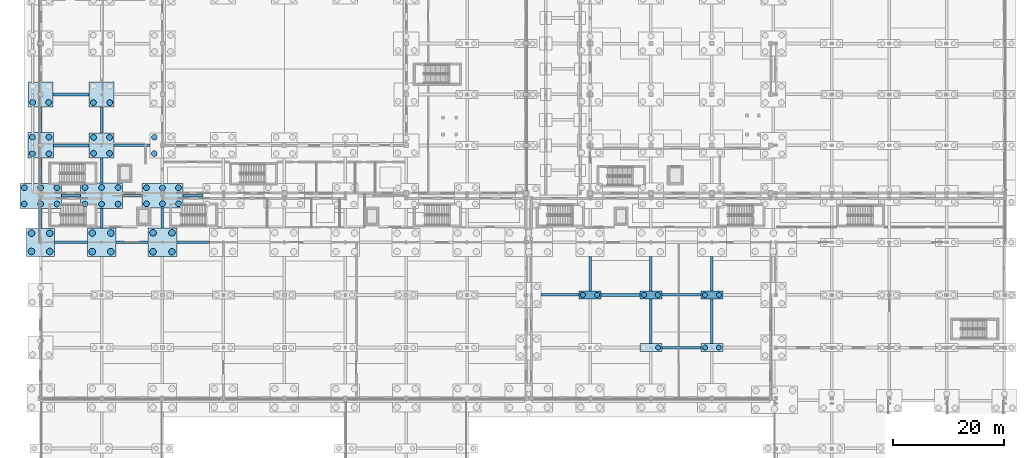
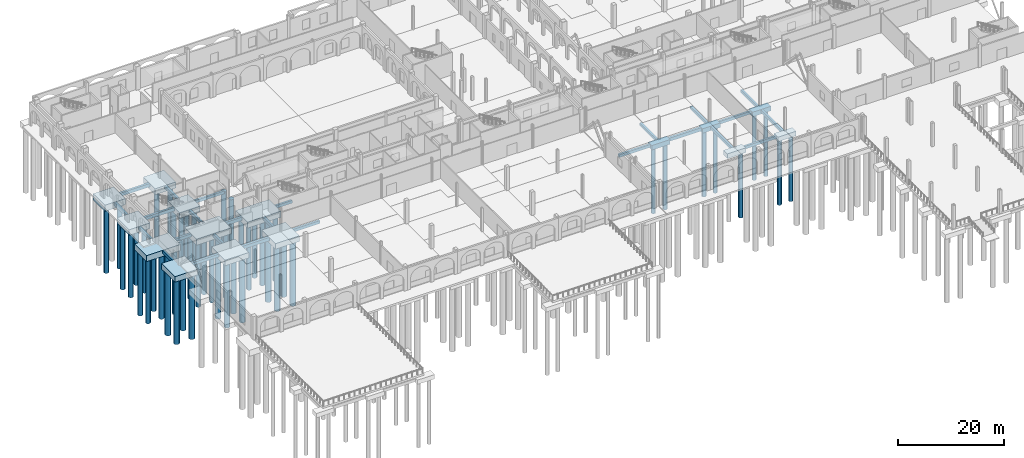
# One storey, part 4 of 83: 53 piles, 40 footings.
"""IFC4 building model written with IfcOpenShell, lengths in metres."""

from ifc_helpers import new_model, si_unit, direction, frame, origin, origin_2d, place, context, subcontext, project, spatial, polyline, circle, outline, extrude, material, material_profile, profile_set, type_object, element, save


model = new_model("IFC4")

# Units and contexts
model_context = context("Model", 3, precision=1e-05, world=origin(), true_north=direction((0.0, 1.0)))
body_context = subcontext(model_context, "Body", "Model", "MODEL_VIEW")
ifc_project = project(units=[si_unit("LENGTHUNIT", "METRE"), si_unit("AREAUNIT", "SQUARE_METRE"), si_unit("VOLUMEUNIT", "CUBIC_METRE"), si_unit("PLANEANGLEUNIT", "RADIAN"), si_unit("MASSUNIT", "GRAM", prefix="KILO")], contexts=[model_context])

# Site, building, storey
site_placement = place(None, origin())
site = spatial("IfcSite", under=ifc_project, at=site_placement, CompositionType="ELEMENT")
building_placement = place(site_placement, origin())
building = spatial("IfcBuilding", under=site, at=building_placement, Name="Caurita Quay Ferry Terminal", CompositionType="ELEMENT")
storey_placement = place(building_placement, origin())
storey = spatial("IfcBuildingStorey", under=building, at=storey_placement, Name="L00", CompositionType="ELEMENT", Elevation=0.0)

# Footings
ifc_material = material(Name="Marine reinforced concrete C40/50", Category="concrete")
footing_type_1 = type_object("IfcFootingType", Name="FTG-BM-01", PredefinedType="FOOTING_BEAM", material=ifc_material)
footing_1_placement = place(storey_placement, frame((0.0, 0.0, -1.14990234375)))
element("IfcFooting", 1, at=footing_1_placement, inside=storey, type_object=footing_type_1, Name="Seismic Tie Footing Beam FB-X-067", PredefinedType="FOOTING_BEAM", context=body_context, shape_type="SweptSolid", body=[
    extrude(outline(polyline([(101.199951171875, 52.949951171875), (108.25, 52.949951171875), (108.25, 53.449951171875), (101.199951171875, 53.449951171875), (101.199951171875, 52.949951171875)])), origin(), (0.0, 0.0, 1.0), 0.75),
])
footing_2_placement = place(storey_placement, frame((0.0, 0.0, -1.14990234375)))
element("IfcFooting", 2, at=footing_2_placement, inside=storey, type_object=footing_type_1, Name="Seismic Tie Footing Beam FB-X-075", PredefinedType="FOOTING_BEAM", context=body_context, shape_type="SweptSolid", body=[
    extrude(outline(polyline([(13.574951171875, 62.449951171875), (19.39990234375, 62.449951171875), (19.39990234375, 62.949951171875), (13.574951171875, 62.949951171875), (13.574951171875, 62.449951171875)])), origin(), (0.0, 0.0, 1.0), 0.75),
])
footing_3_placement = place(storey_placement, frame((0.0, 0.0, -1.14990234375)))
element("IfcFooting", 3, at=footing_3_placement, inside=storey, type_object=footing_type_1, Name="Seismic Tie Footing Beam FB-X-091", PredefinedType="FOOTING_BEAM", context=body_context, shape_type="SweptSolid", body=[
    extrude(outline(polyline([(14.77490234375, 70.85009765625), (18.324951171875, 70.85009765625), (18.324951171875, 71.35009765625), (14.77490234375, 71.35009765625), (14.77490234375, 70.85009765625)])), origin(), (0.0, 0.0, 1.0), 0.75),
])
footing_4_placement = place(storey_placement, frame((0.0, 0.0, -1.14990234375)))
element("IfcFooting", 4, at=footing_4_placement, inside=storey, type_object=footing_type_1, Name="Seismic Tie Footing Beam FB-X-107", PredefinedType="FOOTING_BEAM", context=body_context, shape_type="SweptSolid", body=[
    extrude(outline(polyline([(2.300048828125, 79.949951171875), (8.75, 79.949951171875), (8.75, 80.449951171875), (2.300048828125, 80.449951171875), (2.300048828125, 79.949951171875)])), origin(), (0.0, 0.0, 1.0), 0.75),
])
footing_5_placement = place(storey_placement, frame((0.0, 0.0, -1.14990234375)))
element("IfcFooting", 5, at=footing_5_placement, inside=storey, type_object=footing_type_1, Name="Seismic Tie Footing Beam FB-X-125", PredefinedType="FOOTING_BEAM", context=body_context, shape_type="SweptSolid", body=[
    extrude(outline(polyline([(2.22509765625, 89.14990234375), (8.75, 89.14990234375), (8.75, 89.64990234375), (2.22509765625, 89.64990234375), (2.22509765625, 89.14990234375)])), origin(), (0.0, 0.0, 1.0), 0.75),
])
footing_type_2 = type_object("IfcFootingType", Name="FTG-BM-02", PredefinedType="FOOTING_BEAM", material=ifc_material)
footing_6_placement = place(storey_placement, frame((0.0, 0.0, -1.050048828125)))
element("IfcFooting", 6, at=footing_6_placement, inside=storey, type_object=footing_type_2, Name="Seismic Tie Footing Beam FB-X-052", PredefinedType="FOOTING_BEAM", context=body_context, shape_type="SweptSolid", body=[
    extrude(outline(polyline([(112.22509765625, 43.47509765625), (119.22509765625, 43.47509765625), (119.22509765625, 43.925048828125), (112.22509765625, 43.925048828125), (112.22509765625, 43.47509765625)])), origin(), (0.0, 0.0, 1.0), 0.650146484375),
])
footing_7_placement = place(storey_placement, frame((0.0, 0.0, -1.050048828125)))
element("IfcFooting", 7, at=footing_7_placement, inside=storey, type_object=footing_type_2, Name="Seismic Tie Footing Beam FB-X-066", PredefinedType="FOOTING_BEAM", context=body_context, shape_type="SweptSolid", body=[
    extrude(outline(polyline([(90.35009765625, 52.97509765625), (97.199951171875, 52.97509765625), (97.199951171875, 53.425048828125), (90.35009765625, 53.425048828125), (90.35009765625, 52.97509765625)])), origin(), (0.0, 0.0, 1.0), 0.650146484375),
])
footing_8_placement = place(storey_placement, frame((0.0, 0.0, -1.050048828125)))
element("IfcFooting", 8, at=footing_8_placement, inside=storey, type_object=footing_type_2, Name="Seismic Tie Footing Beam FB-X-068", PredefinedType="FOOTING_BEAM", context=body_context, shape_type="SweptSolid", body=[
    extrude(outline(polyline([(112.14990234375, 52.97509765625), (119.22509765625, 52.97509765625), (119.22509765625, 53.425048828125), (112.14990234375, 53.425048828125), (112.14990234375, 52.97509765625)])), origin(), (0.0, 0.0, 1.0), 0.650146484375),
])
footing_9_placement = place(storey_placement, frame((0.0, 0.0, -1.050048828125)))
element("IfcFooting", 9, at=footing_9_placement, inside=storey, type_object=footing_type_2, Name="Seismic Tie Footing Beam FB-X-074", PredefinedType="FOOTING_BEAM", context=body_context, shape_type="SweptSolid", body=[
    extrude(outline(polyline([(2.52490234375, 62.47509765625), (8.425048828125, 62.47509765625), (8.425048828125, 62.925048828125), (2.52490234375, 62.925048828125), (2.52490234375, 62.47509765625)])), origin(), (0.0, 0.0, 1.0), 0.650146484375),
])
footing_10_placement = place(storey_placement, frame((0.0, 0.0, -1.050048828125)))
element("IfcFooting", 10, at=footing_10_placement, inside=storey, type_object=footing_type_2, Name="Seismic Tie Footing Beam FB-X-076", PredefinedType="FOOTING_BEAM", context=body_context, shape_type="SweptSolid", body=[
    extrude(outline(polyline([(24.60009765625, 62.47509765625), (30.47509765625, 62.47509765625), (30.47509765625, 62.925048828125), (24.60009765625, 62.925048828125), (24.60009765625, 62.47509765625)])), origin(), (0.0, 0.0, 1.0), 0.650146484375),
])
footing_11_placement = place(storey_placement, frame((0.0, 0.0, -1.050048828125)))
element("IfcFooting", 11, at=footing_11_placement, inside=storey, type_object=footing_type_2, Name="Seismic Tie Footing Beam FB-X-090", PredefinedType="FOOTING_BEAM", context=body_context, shape_type="SweptSolid", body=[
    extrude(outline(polyline([(3.72509765625, 70.875), (7.22509765625, 70.875), (7.22509765625, 71.324951171875), (3.72509765625, 71.324951171875), (3.72509765625, 70.875)])), origin(), (0.0, 0.0, 1.0), 0.650146484375),
])
footing_12_placement = place(storey_placement, frame((0.0, 0.0, -1.050048828125)))
element("IfcFooting", 12, at=footing_12_placement, inside=storey, type_object=footing_type_2, Name="Seismic Tie Footing Beam FB-X-092", PredefinedType="FOOTING_BEAM", context=body_context, shape_type="SweptSolid", body=[
    extrude(outline(polyline([(25.675048828125, 70.875), (29.27490234375, 70.875), (29.27490234375, 71.324951171875), (25.675048828125, 71.324951171875), (25.675048828125, 70.875)])), origin(), (0.0, 0.0, 1.0), 0.650146484375),
])
footing_13_placement = place(storey_placement, frame((0.0, 0.0, -1.050048828125)))
element("IfcFooting", 13, at=footing_13_placement, inside=storey, type_object=footing_type_2, Name="Seismic Tie Footing Beam FB-X-108", PredefinedType="FOOTING_BEAM", context=body_context, shape_type="SweptSolid", body=[
    extrude(outline(polyline([(13.25, 79.97509765625), (19.72509765625, 79.97509765625), (19.72509765625, 80.425048828125), (13.25, 80.425048828125), (13.25, 79.97509765625)])), origin(), (0.0, 0.0, 1.0), 0.650146484375),
])
footing_14_placement = place(storey_placement, frame((0.0, 0.0, -1.050048828125)))
element("IfcFooting", 14, at=footing_14_placement, inside=storey, type_object=footing_type_2, Name="Seismic Tie Footing Beam FB-Y-190", PredefinedType="FOOTING_BEAM", context=body_context, shape_type="SweptSolid", body=[
    extrude(outline(polyline([(-0.22509765625, 65.22509765625), (0.22509765625, 65.22509765625), (0.22509765625, 68.85009765625), (-0.22509765625, 68.85009765625), (-0.22509765625, 65.22509765625)])), origin(), (0.0, 0.0, 1.0), 0.650146484375),
])
footing_15_placement = place(storey_placement, frame((0.0, 0.0, -1.050048828125)))
element("IfcFooting", 15, at=footing_15_placement, inside=storey, type_object=footing_type_2, Name="Seismic Tie Footing Beam FB-Y-191", PredefinedType="FOOTING_BEAM", context=body_context, shape_type="SweptSolid", body=[
    extrude(outline(polyline([(-0.22509765625, 73.35009765625), (0.22509765625, 73.35009765625), (0.22509765625, 77.89990234375), (-0.22509765625, 77.89990234375), (-0.22509765625, 73.35009765625)])), origin(), (0.0, 0.0, 1.0), 0.650146484375),
])
footing_16_placement = place(storey_placement, frame((0.0, 0.0, -1.050048828125)))
element("IfcFooting", 16, at=footing_16_placement, inside=storey, type_object=footing_type_2, Name="Seismic Tie Footing Beam FB-Y-192", PredefinedType="FOOTING_BEAM", context=body_context, shape_type="SweptSolid", body=[
    extrude(outline(polyline([(-0.22509765625, 82.5), (0.22509765625, 82.5), (0.22509765625, 87.175048828125), (-0.22509765625, 87.175048828125), (-0.22509765625, 82.5)])), origin(), (0.0, 0.0, 1.0), 0.650146484375),
])
footing_17_placement = place(storey_placement, frame((0.0, 0.0, -1.050048828125)))
element("IfcFooting", 17, at=footing_17_placement, inside=storey, type_object=footing_type_2, Name="Seismic Tie Footing Beam FB-Y-202", PredefinedType="FOOTING_BEAM", context=body_context, shape_type="SweptSolid", body=[
    extrude(outline(polyline([(10.77490234375, 65.27490234375), (11.22509765625, 65.27490234375), (11.22509765625, 68.824951171875), (10.77490234375, 68.824951171875), (10.77490234375, 65.27490234375)])), origin(), (0.0, 0.0, 1.0), 0.650146484375),
])
footing_18_placement = place(storey_placement, frame((0.0, 0.0, -1.050048828125)))
element("IfcFooting", 18, at=footing_18_placement, inside=storey, type_object=footing_type_2, Name="Seismic Tie Footing Beam FB-Y-203", PredefinedType="FOOTING_BEAM", context=body_context, shape_type="SweptSolid", body=[
    extrude(outline(polyline([(10.77490234375, 73.375), (11.22509765625, 73.375), (11.22509765625, 77.949951171875), (10.77490234375, 77.949951171875), (10.77490234375, 73.375)])), origin(), (0.0, 0.0, 1.0), 0.650146484375),
])
footing_19_placement = place(storey_placement, frame((0.0, 0.0, -1.050048828125)))
element("IfcFooting", 19, at=footing_19_placement, inside=storey, type_object=footing_type_2, Name="Seismic Tie Footing Beam FB-Y-204", PredefinedType="FOOTING_BEAM", context=body_context, shape_type="SweptSolid", body=[
    extrude(outline(polyline([(10.77490234375, 82.449951171875), (11.22509765625, 82.449951171875), (11.22509765625, 87.14990234375), (10.77490234375, 87.14990234375), (10.77490234375, 82.449951171875)])), origin(), (0.0, 0.0, 1.0), 0.650146484375),
])
footing_20_placement = place(storey_placement, frame((0.0, 0.0, -1.050048828125)))
element("IfcFooting", 20, at=footing_20_placement, inside=storey, type_object=footing_type_2, Name="Seismic Tie Footing Beam FB-Y-214", PredefinedType="FOOTING_BEAM", context=body_context, shape_type="SweptSolid", body=[
    extrude(outline(polyline([(21.77490234375, 65.300048828125), (22.22509765625, 65.300048828125), (22.22509765625, 68.875), (21.77490234375, 68.875), (21.77490234375, 65.300048828125)])), origin(), (0.0, 0.0, 1.0), 0.650146484375),
])
footing_21_placement = place(storey_placement, frame((0.0, 0.0, -1.050048828125)))
element("IfcFooting", 21, at=footing_21_placement, inside=storey, type_object=footing_type_2, Name="Seismic Tie Footing Beam FB-Y-280", PredefinedType="FOOTING_BEAM", context=body_context, shape_type="SweptSolid", body=[
    extrude(outline(polyline([(98.97509765625, 53.89990234375), (99.425048828125, 53.89990234375), (99.425048828125, 60.175048828125), (98.97509765625, 60.175048828125), (98.97509765625, 53.89990234375)])), origin(), (0.0, 0.0, 1.0), 0.650146484375),
])
footing_22_placement = place(storey_placement, frame((0.0, 0.0, -1.050048828125)))
element("IfcFooting", 22, at=footing_22_placement, inside=storey, type_object=footing_type_2, Name="Seismic Tie Footing Beam FB-Y-288", PredefinedType="FOOTING_BEAM", context=body_context, shape_type="SweptSolid", body=[
    extrude(outline(polyline([(109.97509765625, 44.425048828125), (110.425048828125, 44.425048828125), (110.425048828125, 52.5), (109.97509765625, 52.5), (109.97509765625, 44.425048828125)])), origin(), (0.0, 0.0, 1.0), 0.650146484375),
])
footing_23_placement = place(storey_placement, frame((0.0, 0.0, -1.050048828125)))
element("IfcFooting", 23, at=footing_23_placement, inside=storey, type_object=footing_type_2, Name="Seismic Tie Footing Beam FB-Y-289", PredefinedType="FOOTING_BEAM", context=body_context, shape_type="SweptSolid", body=[
    extrude(outline(polyline([(109.97509765625, 53.89990234375), (110.425048828125, 53.89990234375), (110.425048828125, 60.125), (109.97509765625, 60.125), (109.97509765625, 53.89990234375)])), origin(), (0.0, 0.0, 1.0), 0.650146484375),
])
footing_24_placement = place(storey_placement, frame((0.0, 0.0, -1.050048828125)))
element("IfcFooting", 24, at=footing_24_placement, inside=storey, type_object=footing_type_2, Name="Seismic Tie Footing Beam FB-Y-297", PredefinedType="FOOTING_BEAM", context=body_context, shape_type="SweptSolid", body=[
    extrude(outline(polyline([(120.97509765625, 44.425048828125), (121.425048828125, 44.425048828125), (121.425048828125, 52.5), (120.97509765625, 52.5), (120.97509765625, 44.425048828125)])), origin(), (0.0, 0.0, 1.0), 0.650146484375),
])
footing_25_placement = place(storey_placement, frame((0.0, 0.0, -1.050048828125)))
element("IfcFooting", 25, at=footing_25_placement, inside=storey, type_object=footing_type_2, Name="Seismic Tie Footing Beam FB-Y-298", PredefinedType="FOOTING_BEAM", context=body_context, shape_type="SweptSolid", body=[
    extrude(outline(polyline([(120.97509765625, 53.89990234375), (121.425048828125, 53.89990234375), (121.425048828125, 60.10009765625), (120.97509765625, 60.10009765625), (120.97509765625, 53.89990234375)])), origin(), (0.0, 0.0, 1.0), 0.650146484375),
])
footing_type_3 = type_object("IfcFootingType", Name="FTG-PC-04", PredefinedType="PILE_CAP", material=ifc_material)
footing_26_placement = place(storey_placement, frame((0.0, 0.0, -1.699951171875)))
element("IfcFooting", 26, at=footing_26_placement, inside=storey, type_object=footing_type_3, Name="Pile Cap PC-004", PredefinedType="PILE_CAP", context=body_context, shape_type="SweptSolid", body=[
    extrude(outline(polyline([(-2.52490234375, 60.175048828125), (2.52490234375, 60.175048828125), (2.52490234375, 65.22509765625), (-2.52490234375, 65.22509765625), (-2.52490234375, 60.175048828125)])), origin(), (0.0, 0.0, 1.0), 1.300048828125),
])
footing_type_4 = type_object("IfcFootingType", Name="FTG-PC-05", PredefinedType="PILE_CAP", material=ifc_material)
footing_27_placement = place(storey_placement, frame((0.0, 0.0, -1.800048828125)))
element("IfcFooting", 27, at=footing_27_placement, inside=storey, type_object=footing_type_4, Name="Pile Cap PC-005", PredefinedType="PILE_CAP", context=body_context, shape_type="SweptSolid", body=[
    extrude(outline(polyline([(-3.72509765625, 68.85009765625), (3.72509765625, 68.85009765625), (3.72509765625, 73.35009765625), (-3.72509765625, 73.35009765625), (-3.72509765625, 68.85009765625)])), origin(), (0.0, 0.0, 1.0), 1.400146484375),
])
footing_type_5 = type_object("IfcFootingType", Name="FTG-PC-06", PredefinedType="PILE_CAP", material=ifc_material)
footing_28_placement = place(storey_placement, frame((0.0, 0.0, -1.699951171875)))
element("IfcFooting", 28, at=footing_28_placement, inside=storey, type_object=footing_type_5, Name="Pile Cap PC-006", PredefinedType="PILE_CAP", context=body_context, shape_type="SweptSolid", body=[
    extrude(outline(polyline([(-2.300048828125, 77.89990234375), (2.300048828125, 77.89990234375), (2.300048828125, 82.5), (-2.300048828125, 82.5), (-2.300048828125, 77.89990234375)])), origin(), (0.0, 0.0, 1.0), 1.300048828125),
])
footing_type_6 = type_object("IfcFootingType", Name="FTG-PC-07", PredefinedType="PILE_CAP", material=ifc_material)
footing_29_placement = place(storey_placement, frame((0.0, 0.0, -1.800048828125)))
element("IfcFooting", 29, at=footing_29_placement, inside=storey, type_object=footing_type_6, Name="Pile Cap PC-007", PredefinedType="PILE_CAP", context=body_context, shape_type="SweptSolid", body=[
    extrude(outline(polyline([(-2.22509765625, 87.175048828125), (2.22509765625, 87.175048828125), (2.22509765625, 91.625), (-2.22509765625, 91.625), (-2.22509765625, 87.175048828125)])), origin(), (0.0, 0.0, 1.0), 1.400146484375),
])
footing_type_7 = type_object("IfcFootingType", Name="FTG-PC-10", PredefinedType="PILE_CAP", material=ifc_material)
footing_30_placement = place(storey_placement, frame((0.0, 0.0, -1.699951171875)))
element("IfcFooting", 30, at=footing_30_placement, inside=storey, type_object=footing_type_7, Name="Pile Cap PC-016", PredefinedType="PILE_CAP", context=body_context, shape_type="SweptSolid", body=[
    extrude(outline(polyline([(8.75, 77.949951171875), (13.25, 77.949951171875), (13.25, 82.449951171875), (8.75, 82.449951171875), (8.75, 77.949951171875)])), origin(), (0.0, 0.0, 1.0), 1.300048828125),
])
footing_type_8 = type_object("IfcFootingType", Name="FTG-PC-12", PredefinedType="PILE_CAP", material=ifc_material)
footing_31_placement = place(storey_placement, frame((0.0, 0.0, -1.449951171875)))
element("IfcFooting", 31, at=footing_31_placement, inside=storey, type_object=footing_type_8, Name="Pile Cap PC-096", PredefinedType="PILE_CAP", context=body_context, shape_type="SweptSolid", body=[
    extrude(outline(polyline([(108.175048828125, 42.97509765625), (112.22509765625, 42.97509765625), (112.22509765625, 44.425048828125), (108.175048828125, 44.425048828125), (108.175048828125, 42.97509765625)])), origin(), (0.0, 0.0, 1.0), 1.050048828125),
])
footing_type_9 = type_object("IfcFootingType", Name="FTG-PC-13", PredefinedType="PILE_CAP", material=ifc_material)
footing_32_placement = place(storey_placement, frame((0.0, 0.0, -1.449951171875)))
element("IfcFooting", 32, at=footing_32_placement, inside=storey, type_object=footing_type_9, Name="Pile Cap PC-097", PredefinedType="PILE_CAP", context=body_context, shape_type="SweptSolid", body=[
    extrude(outline(polyline([(108.25, 52.5), (112.14990234375, 52.5), (112.14990234375, 53.89990234375), (108.25, 53.89990234375), (108.25, 52.5)])), origin(), (0.0, 0.0, 1.0), 1.050048828125),
])
footing_type_10 = type_object("IfcFootingType", Name="FTG-PC-14", PredefinedType="PILE_CAP", material=ifc_material)
footing_33_placement = place(storey_placement, frame((0.0, 0.0, -1.699951171875)))
element("IfcFooting", 33, at=footing_33_placement, inside=storey, type_object=footing_type_10, Name="Pile Cap PC-014", PredefinedType="PILE_CAP", context=body_context, shape_type="SweptSolid", body=[
    extrude(outline(polyline([(8.425048828125, 60.125), (13.574951171875, 60.125), (13.574951171875, 65.27490234375), (8.425048828125, 65.27490234375), (8.425048828125, 60.125)])), origin(), (0.0, 0.0, 1.0), 1.300048828125),
])
footing_type_11 = type_object("IfcFootingType", Name="FTG-PC-15", PredefinedType="PILE_CAP", material=ifc_material)
footing_34_placement = place(storey_placement, frame((0.0, 0.0, -1.800048828125)))
element("IfcFooting", 34, at=footing_34_placement, inside=storey, type_object=footing_type_11, Name="Pile Cap PC-015", PredefinedType="PILE_CAP", context=body_context, shape_type="SweptSolid", body=[
    extrude(outline(polyline([(7.22509765625, 68.824951171875), (14.77490234375, 68.824951171875), (14.77490234375, 73.375), (7.22509765625, 73.375), (7.22509765625, 68.824951171875)])), origin(), (0.0, 0.0, 1.0), 1.400146484375),
])
footing_type_12 = type_object("IfcFootingType", Name="FTG-PC-16", PredefinedType="PILE_CAP", material=ifc_material)
footing_35_placement = place(storey_placement, frame((0.0, 0.0, -1.800048828125)))
element("IfcFooting", 35, at=footing_35_placement, inside=storey, type_object=footing_type_12, Name="Pile Cap PC-017", PredefinedType="PILE_CAP", context=body_context, shape_type="SweptSolid", body=[
    extrude(outline(polyline([(8.75, 87.14990234375), (13.25, 87.14990234375), (13.25, 91.64990234375), (8.75, 91.64990234375), (8.75, 87.14990234375)])), origin(), (0.0, 0.0, 1.0), 1.400146484375),
])
footing_type_13 = type_object("IfcFootingType", Name="FTG-PC-18", PredefinedType="PILE_CAP", material=ifc_material)
footing_36_placement = place(storey_placement, frame((0.0, 0.0, -1.449951171875)))
element("IfcFooting", 36, at=footing_36_placement, inside=storey, type_object=footing_type_13, Name="Pile Cap PC-106", PredefinedType="PILE_CAP", context=body_context, shape_type="SweptSolid", body=[
    extrude(outline(polyline([(119.22509765625, 42.97509765625), (123.175048828125, 42.97509765625), (123.175048828125, 44.425048828125), (119.22509765625, 44.425048828125), (119.22509765625, 42.97509765625)])), origin(), (0.0, 0.0, 1.0), 1.050048828125),
])
footing_type_14 = type_object("IfcFootingType", Name="FTG-PC-19", PredefinedType="PILE_CAP", material=ifc_material)
footing_37_placement = place(storey_placement, frame((0.0, 0.0, -1.449951171875)))
element("IfcFooting", 37, at=footing_37_placement, inside=storey, type_object=footing_type_14, Name="Pile Cap PC-107", PredefinedType="PILE_CAP", context=body_context, shape_type="SweptSolid", body=[
    extrude(outline(polyline([(119.22509765625, 52.5), (123.175048828125, 52.5), (123.175048828125, 53.89990234375), (119.22509765625, 53.89990234375), (119.22509765625, 52.5)])), origin(), (0.0, 0.0, 1.0), 1.050048828125),
])
footing_type_15 = type_object("IfcFootingType", Name="FTG-PC-20", PredefinedType="PILE_CAP", material=ifc_material)
footing_38_placement = place(storey_placement, frame((0.0, 0.0, -1.699951171875)))
element("IfcFooting", 38, at=footing_38_placement, inside=storey, type_object=footing_type_15, Name="Pile Cap PC-024", PredefinedType="PILE_CAP", context=body_context, shape_type="SweptSolid", body=[
    extrude(outline(polyline([(19.39990234375, 60.10009765625), (24.60009765625, 60.10009765625), (24.60009765625, 65.300048828125), (19.39990234375, 65.300048828125), (19.39990234375, 60.10009765625)])), origin(), (0.0, 0.0, 1.0), 1.300048828125),
])
footing_type_16 = type_object("IfcFootingType", Name="FTG-PC-21", PredefinedType="PILE_CAP", material=ifc_material)
footing_39_placement = place(storey_placement, frame((0.0, 0.0, -1.800048828125)))
element("IfcFooting", 39, at=footing_39_placement, inside=storey, type_object=footing_type_16, Name="Pile Cap PC-025", PredefinedType="PILE_CAP", context=body_context, shape_type="SweptSolid", body=[
    extrude(outline(polyline([(18.324951171875, 68.875), (25.675048828125, 68.875), (25.675048828125, 73.324951171875), (18.324951171875, 73.324951171875), (18.324951171875, 68.875)])), origin(), (0.0, 0.0, 1.0), 1.400146484375),
])
footing_type_17 = type_object("IfcFootingType", Name="FTG-PC-23", PredefinedType="PILE_CAP", material=ifc_material)
footing_40_placement = place(storey_placement, frame((0.0, 0.0, -1.449951171875)))
element("IfcFooting", 40, at=footing_40_placement, inside=storey, type_object=footing_type_17, Name="Pile Cap PC-087", PredefinedType="PILE_CAP", context=body_context, shape_type="SweptSolid", body=[
    extrude(outline(polyline([(97.199951171875, 52.5), (101.199951171875, 52.5), (101.199951171875, 53.89990234375), (97.199951171875, 53.89990234375), (97.199951171875, 52.5)])), origin(), (0.0, 0.0, 1.0), 1.050048828125),
])

# Piles
ifc_material_profile_1 = material_profile(ifc_material, circle(Radius=0.52490234375, at=origin_2d()), Name="PILE-D1050")
ifc_profile_set_1 = profile_set([ifc_material_profile_1], Name="Marine reinforced concrete C40/50")
pile_type_1 = type_object("IfcPileType", Name="TYPE-PL-1050", PredefinedType="BORED", material=ifc_profile_set_1)
for number, where, z_axis, x_axis, name in (
    (41, (-2.93994140625, 69.6298828125, -1.699951171875), (0.0, 0.0, -1.0), (1.0, 0.0, 0.0), "Bored Marine Pile PC-005-P1"),
    (42, (0.0, 69.6298828125, -1.699951171875), (0.0, 0.0, -1.0), (1.0, 0.0, 0.0), "Bored Marine Pile PC-005-P2"),
    (43, (2.93994140625, 69.6298828125, -1.699951171875), (0.0, 0.0, -1.0), (1.0, 0.0, 0.0), "Bored Marine Pile PC-005-P3"),
    (44, (-2.93994140625, 72.570068359375, -1.699951171875), (0.0, 0.0, -1.0), (1.0, 0.0, 0.0), "Bored Marine Pile PC-005-P4"),
    (45, (0.0, 72.570068359375, -1.699951171875), (0.0, 0.0, -1.0), (1.0, 0.0, 0.0), "Bored Marine Pile PC-005-P5"),
    (46, (2.93994140625, 72.570068359375, -1.699951171875), (0.0, 0.0, -1.0), (1.0, 0.0, 0.0), "Bored Marine Pile PC-005-P6"),
):
    element("IfcPile", number, at=place(storey_placement, frame(where, z_axis=z_axis, x_axis=x_axis)), inside=storey, type_object=pile_type_1, Name=name, PredefinedType="BORED", context=body_context, shape_type="SweptSolid", body=[
        extrude(circle(Radius=0.52490234375, at=origin_2d()), origin(), (0.0, 0.0, 1.0), 14.800048828125),
    ])
for number, where, z_axis, x_axis, name in (
    (47, (-1.49609375, 78.7041015625, -1.60009765625), (0.0, 0.0, -1.0), (1.0, 0.0, 0.0), "Bored Marine Pile PC-006-P1"),
    (48, (1.49609375, 78.7041015625, -1.60009765625), (0.0, 0.0, -1.0), (1.0, 0.0, 0.0), "Bored Marine Pile PC-006-P2"),
    (49, (-1.49609375, 81.697021484375, -1.60009765625), (0.0, 0.0, -1.0), (1.0, 0.0, 0.0), "Bored Marine Pile PC-006-P3"),
    (50, (1.49609375, 81.697021484375, -1.60009765625), (0.0, 0.0, -1.0), (1.0, 0.0, 0.0), "Bored Marine Pile PC-006-P4"),
):
    element("IfcPile", number, at=place(storey_placement, frame(where, z_axis=z_axis, x_axis=x_axis)), inside=storey, type_object=pile_type_1, Name=name, PredefinedType="BORED", context=body_context, shape_type="SweptSolid", body=[
        extrude(circle(Radius=0.52490234375, at=origin_2d()), origin(), (0.0, 0.0, 1.0), 14.89990234375),
    ])
for number, where, z_axis, x_axis, name in (
    (51, (-1.444091796875, 87.9560546875, -1.699951171875), (0.0, 0.0, -1.0), (1.0, 0.0, 0.0), "Bored Marine Pile PC-007-P1"),
    (52, (1.444091796875, 87.9560546875, -1.699951171875), (0.0, 0.0, -1.0), (1.0, 0.0, 0.0), "Bored Marine Pile PC-007-P2"),
    (53, (8.007080078125, 69.60302734375, -1.699951171875), (0.0, 0.0, -1.0), (1.0, 0.0, 0.0), "Bored Marine Pile PC-015-P1"),
    (54, (11.0, 69.60302734375, -1.699951171875), (0.0, 0.0, -1.0), (1.0, 0.0, 0.0), "Bored Marine Pile PC-015-P2"),
    (55, (13.992919921875, 69.60302734375, -1.699951171875), (0.0, 0.0, -1.0), (1.0, 0.0, 0.0), "Bored Marine Pile PC-015-P3"),
    (56, (8.007080078125, 72.595947265625, -1.699951171875), (0.0, 0.0, -1.0), (1.0, 0.0, 0.0), "Bored Marine Pile PC-015-P4"),
    (57, (11.0, 72.595947265625, -1.699951171875), (0.0, 0.0, -1.0), (1.0, 0.0, 0.0), "Bored Marine Pile PC-015-P5"),
    (58, (13.992919921875, 72.595947265625, -1.699951171875), (0.0, 0.0, -1.0), (1.0, 0.0, 0.0), "Bored Marine Pile PC-015-P6"),
):
    element("IfcPile", number, at=place(storey_placement, frame(where, z_axis=z_axis, x_axis=x_axis)), inside=storey, type_object=pile_type_1, Name=name, PredefinedType="BORED", context=body_context, shape_type="SweptSolid", body=[
        extrude(circle(Radius=0.52490234375, at=origin_2d()), origin(), (0.0, 0.0, 1.0), 14.800048828125),
    ])
for number, where, z_axis, x_axis, name in (
    (59, (9.555908203125, 78.756103515625, -1.60009765625), (0.0, 0.0, -1.0), (1.0, 0.0, 0.0), "Bored Marine Pile PC-016-P1"),
    (60, (12.444091796875, 78.756103515625, -1.60009765625), (0.0, 0.0, -1.0), (1.0, 0.0, 0.0), "Bored Marine Pile PC-016-P2"),
    (61, (9.555908203125, 81.64404296875, -1.60009765625), (0.0, 0.0, -1.0), (1.0, 0.0, 0.0), "Bored Marine Pile PC-016-P3"),
    (62, (12.444091796875, 81.64404296875, -1.60009765625), (0.0, 0.0, -1.0), (1.0, 0.0, 0.0), "Bored Marine Pile PC-016-P4"),
):
    element("IfcPile", number, at=place(storey_placement, frame(where, z_axis=z_axis, x_axis=x_axis)), inside=storey, type_object=pile_type_1, Name=name, PredefinedType="BORED", context=body_context, shape_type="SweptSolid", body=[
        extrude(circle(Radius=0.52490234375, at=origin_2d()), origin(), (0.0, 0.0, 1.0), 14.89990234375),
    ])
for number, where, z_axis, x_axis, name in (
    (63, (9.530029296875, 87.929931640625, -1.699951171875), (0.0, 0.0, -1.0), (1.0, 0.0, 0.0), "Bored Marine Pile PC-017-P1"),
    (64, (12.469970703125, 87.929931640625, -1.699951171875), (0.0, 0.0, -1.0), (1.0, 0.0, 0.0), "Bored Marine Pile PC-017-P2"),
    (65, (19.112060546875, 69.656005859375, -1.699951171875), (0.0, 0.0, -1.0), (1.0, 0.0, 0.0), "Bored Marine Pile PC-025-P1"),
    (66, (22.0, 69.656005859375, -1.699951171875), (0.0, 0.0, -1.0), (1.0, 0.0, 0.0), "Bored Marine Pile PC-025-P2"),
    (67, (24.887939453125, 69.656005859375, -1.699951171875), (0.0, 0.0, -1.0), (1.0, 0.0, 0.0), "Bored Marine Pile PC-025-P3"),
    (68, (19.112060546875, 72.5439453125, -1.699951171875), (0.0, 0.0, -1.0), (1.0, 0.0, 0.0), "Bored Marine Pile PC-025-P4"),
    (69, (22.0, 72.5439453125, -1.699951171875), (0.0, 0.0, -1.0), (1.0, 0.0, 0.0), "Bored Marine Pile PC-025-P5"),
    (70, (24.887939453125, 72.5439453125, -1.699951171875), (0.0, 0.0, -1.0), (1.0, 0.0, 0.0), "Bored Marine Pile PC-025-P6"),
):
    element("IfcPile", number, at=place(storey_placement, frame(where, z_axis=z_axis, x_axis=x_axis)), inside=storey, type_object=pile_type_1, Name=name, PredefinedType="BORED", context=body_context, shape_type="SweptSolid", body=[
        extrude(circle(Radius=0.52490234375, at=origin_2d()), origin(), (0.0, 0.0, 1.0), 14.800048828125),
    ])
for number, where, z_axis, x_axis, name in (
    (71, (20.530029296875, 78.72998046875, -1.60009765625), (0.0, 0.0, -1.0), (1.0, 0.0, 0.0), "Bored Marine Pile PC-026-P1"),
    (72, (20.530029296875, 81.669921875, -1.60009765625), (0.0, 0.0, -1.0), (1.0, 0.0, 0.0), "Bored Marine Pile PC-026-P3"),
):
    element("IfcPile", number, at=place(storey_placement, frame(where, z_axis=z_axis, x_axis=x_axis)), inside=storey, type_object=pile_type_1, Name=name, PredefinedType="BORED", context=body_context, shape_type="SweptSolid", body=[
        extrude(circle(Radius=0.52490234375, at=origin_2d()), origin(), (0.0, 0.0, 1.0), 14.89990234375),
    ])
ifc_material_profile_2 = material_profile(ifc_material, circle(Radius=0.60009765625, at=origin_2d()), Name="PILE-D1200")
ifc_profile_set_2 = profile_set([ifc_material_profile_2], Name="Marine reinforced concrete C40/50")
pile_type_2 = type_object("IfcPileType", Name="TYPE-PL-1200", PredefinedType="BORED", material=ifc_profile_set_2)
for number, where, z_axis, x_axis, name in (
    (73, (-1.64990234375, 61.050048828125, -1.60009765625), (0.0, 0.0, -1.0), (1.0, 0.0, 0.0), "Bored Marine Pile PC-004-P1"),
    (74, (1.64990234375, 61.050048828125, -1.60009765625), (0.0, 0.0, -1.0), (1.0, 0.0, 0.0), "Bored Marine Pile PC-004-P2"),
    (75, (-1.64990234375, 64.35009765625, -1.60009765625), (0.0, 0.0, -1.0), (1.0, 0.0, 0.0), "Bored Marine Pile PC-004-P3"),
    (76, (1.64990234375, 64.35009765625, -1.60009765625), (0.0, 0.0, -1.0), (1.0, 0.0, 0.0), "Bored Marine Pile PC-004-P4"),
    (77, (9.320068359375, 61.02001953125, -1.60009765625), (0.0, 0.0, -1.0), (1.0, 0.0, 0.0), "Bored Marine Pile PC-014-P1"),
    (78, (12.679931640625, 61.02001953125, -1.60009765625), (0.0, 0.0, -1.0), (1.0, 0.0, 0.0), "Bored Marine Pile PC-014-P2"),
    (79, (9.320068359375, 64.3798828125, -1.60009765625), (0.0, 0.0, -1.0), (1.0, 0.0, 0.0), "Bored Marine Pile PC-014-P3"),
    (80, (12.679931640625, 64.3798828125, -1.60009765625), (0.0, 0.0, -1.0), (1.0, 0.0, 0.0), "Bored Marine Pile PC-014-P4"),
    (81, (20.2900390625, 60.989990234375, -1.60009765625), (0.0, 0.0, -1.0), (1.0, 0.0, 0.0), "Bored Marine Pile PC-024-P1"),
    (82, (23.7099609375, 60.989990234375, -1.60009765625), (0.0, 0.0, -1.0), (1.0, 0.0, 0.0), "Bored Marine Pile PC-024-P2"),
    (83, (20.2900390625, 64.409912109375, -1.60009765625), (0.0, 0.0, -1.0), (1.0, 0.0, 0.0), "Bored Marine Pile PC-024-P3"),
    (84, (23.7099609375, 64.409912109375, -1.60009765625), (0.0, 0.0, -1.0), (1.0, 0.0, 0.0), "Bored Marine Pile PC-024-P4"),
):
    element("IfcPile", number, at=place(storey_placement, frame(where, z_axis=z_axis, x_axis=x_axis)), inside=storey, type_object=pile_type_2, Name=name, PredefinedType="BORED", context=body_context, shape_type="SweptSolid", body=[
        extrude(circle(Radius=0.60009765625, at=origin_2d()), origin(), (0.0, 0.0, 1.0), 14.89990234375),
    ])
ifc_material_profile_3 = material_profile(ifc_material, circle(Radius=0.449951171875, at=origin_2d()), Name="PILE-D900")
ifc_profile_set_3 = profile_set([ifc_material_profile_3], Name="Marine reinforced concrete C40/50")
pile_type_3 = type_object("IfcPileType", Name="TYPE-PL-900", PredefinedType="BORED", material=ifc_profile_set_3)
for number, where, z_axis, x_axis, name in (
    (85, (97.91796875, 53.199951171875, -1.35009765625), (0.0, 0.0, -1.0), (1.0, 0.0, 0.0), "Bored Marine Pile PC-087-P1"),
    (86, (100.48291015625, 53.199951171875, -1.35009765625), (0.0, 0.0, -1.0), (1.0, 0.0, 0.0), "Bored Marine Pile PC-087-P2"),
    (87, (111.48291015625, 43.699951171875, -1.35009765625), (0.0, 0.0, -1.0), (1.0, 0.0, 0.0), "Bored Marine Pile PC-096-P2"),
    (88, (108.962890625, 53.199951171875, -1.35009765625), (0.0, 0.0, -1.0), (1.0, 0.0, 0.0), "Bored Marine Pile PC-097-P1"),
    (89, (111.43798828125, 53.199951171875, -1.35009765625), (0.0, 0.0, -1.0), (1.0, 0.0, 0.0), "Bored Marine Pile PC-097-P2"),
    (90, (119.962890625, 43.699951171875, -1.35009765625), (0.0, 0.0, -1.0), (1.0, 0.0, 0.0), "Bored Marine Pile PC-106-P1"),
    (91, (122.43798828125, 43.699951171875, -1.35009765625), (0.0, 0.0, -1.0), (1.0, 0.0, 0.0), "Bored Marine Pile PC-106-P2"),
    (92, (119.93994140625, 53.199951171875, -1.35009765625), (0.0, 0.0, -1.0), (1.0, 0.0, 0.0), "Bored Marine Pile PC-107-P1"),
    (93, (122.4599609375, 53.199951171875, -1.35009765625), (0.0, 0.0, -1.0), (1.0, 0.0, 0.0), "Bored Marine Pile PC-107-P2"),
):
    element("IfcPile", number, at=place(storey_placement, frame(where, z_axis=z_axis, x_axis=x_axis)), inside=storey, type_object=pile_type_3, Name=name, PredefinedType="BORED", context=body_context, shape_type="SweptSolid", body=[
        extrude(circle(Radius=0.449951171875, at=origin_2d()), origin(), (0.0, 0.0, 1.0), 15.14990234375),
    ])

save(model, "model.ifc")
